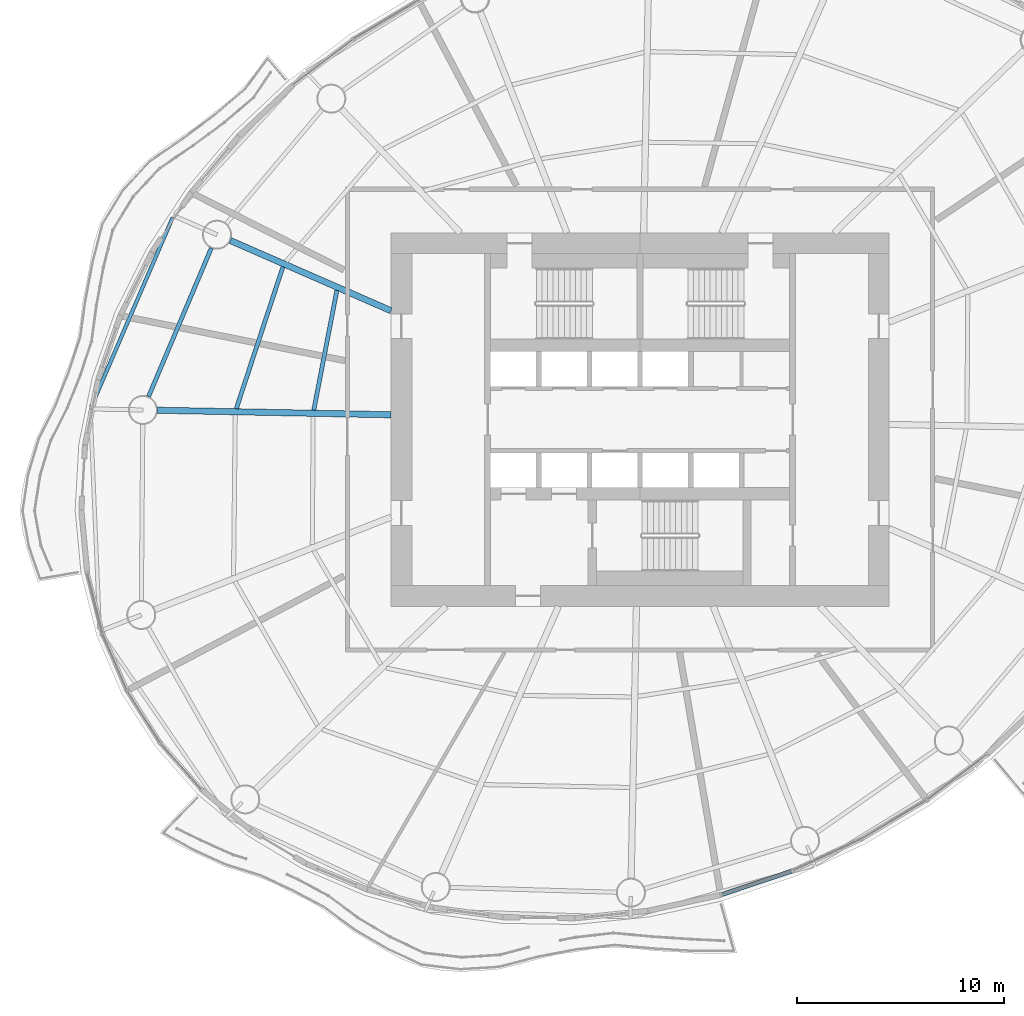
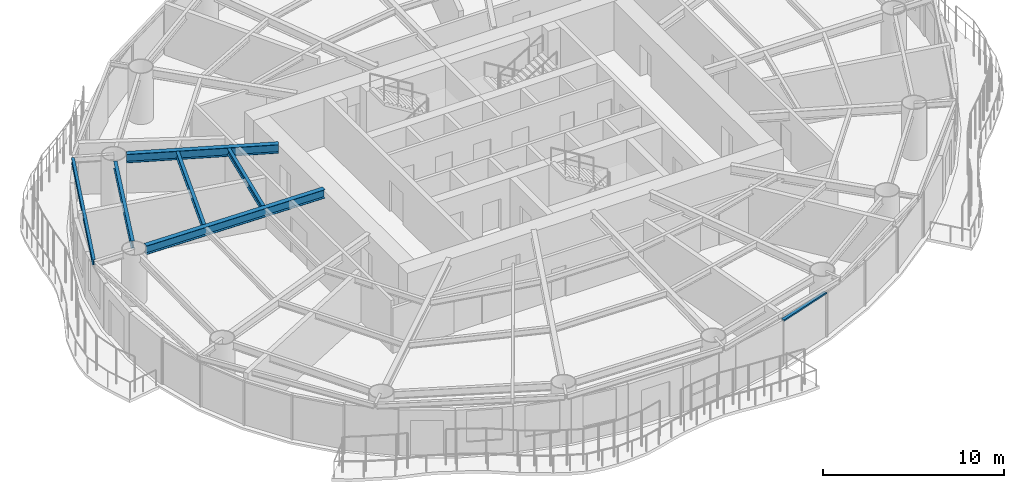
# One storey, part 3 of 16: 6 beams, 1 member, 1 element without a shape of its own.
"""IFC4 building model written with IfcOpenShell, lengths in metres."""

from ifc_helpers import new_model, si_unit, direction, frame, origin, origin_2d, place, context, subcontext, project, spatial, rectangle, i_section, extrude, material, material_profile, profile_set, type_object, element, aggregate, save


model = new_model("IFC4")

# Units and contexts
model_context = context("Model", 3, precision=1e-05, world=origin(), true_north=direction((0.0, 1.0)))
body_context = subcontext(model_context, "Body", "Model", "MODEL_VIEW")
ifc_project = project(units=[si_unit("LENGTHUNIT", "METRE"), si_unit("AREAUNIT", "SQUARE_METRE"), si_unit("VOLUMEUNIT", "CUBIC_METRE"), si_unit("PLANEANGLEUNIT", "RADIAN"), si_unit("MASSUNIT", "GRAM", prefix="KILO")], contexts=[model_context])

# Site, building, storey
site_placement = place(None, origin())
site = spatial("IfcSite", under=ifc_project, at=site_placement, CompositionType="ELEMENT")
building_placement = place(site_placement, origin())
building = spatial("IfcBuilding", under=site, at=building_placement, Name="Vermilion Reach Broadcast Tower", CompositionType="ELEMENT")
storey_placement = place(building_placement, frame((0.0, 0.0, 147.0)))
storey = spatial("IfcBuildingStorey", under=building, at=storey_placement, Name="L34", CompositionType="ELEMENT", Elevation=147.0)

# Beams
ifc_material_1 = material(Name="Steel S355J2", Category="steel")
ifc_material_profile_1 = material_profile(ifc_material_1, i_section(OverallWidth=0.175048828125, OverallDepth=0.35009765625, WebThickness=0.007080078125, FlangeThickness=0.010986328125, at=origin_2d()), Name="S355J2 HN 350x175x7x11")
ifc_profile_set_1 = profile_set([ifc_material_profile_1], Name="Steel S355J2")
beam_type_1 = type_object("IfcBeamType", Name="EB3 HN 350x175x7x11", PredefinedType="BEAM", material=ifc_profile_set_1)
beam_1_placement = place(storey_placement, frame((-28.52490234375, 9.736328125, 3.27490234375), z_axis=(-0.395161967212, -0.918611462844, 0.0), x_axis=(0.918611462844, -0.395161967212, 0.0)))
element("IfcBeam", 1, at=beam_1_placement, inside=storey, type_object=beam_type_1, Name="Edge beam EB3-06", PredefinedType="BEAM", context=body_context, shape_type="SweptSolid", body=[
    extrude(i_section(OverallWidth=0.175048828125, OverallDepth=0.35009765625, WebThickness=0.007080078125, FlangeThickness=0.010986328125, at=origin_2d()), origin(), (0.0, 0.0, 1.0), 9.93212890625),
])
ifc_material_2 = material(Name="Steel S355J2", Category="steel")
ifc_material_profile_2 = material_profile(ifc_material_2, i_section(OverallWidth=0.300048828125, OverallDepth=0.587890625, WebThickness=0.011962890625, FlangeThickness=0.02001953125, at=origin_2d()), Name="S355J2 HM 588x300x12x20")
ifc_profile_set_2 = profile_set([ifc_material_profile_2], Name="Steel S355J2")
beam_type_2 = type_object("IfcBeamType", Name="G3 HM 588x300x12x20", PredefinedType="BEAM", material=ifc_profile_set_2)
beam_2_placement = place(storey_placement, frame((-18.0, 5.2451171875, 3.156005859375), z_axis=(-0.916287847036, 0.400520388213, 0.0), x_axis=(-0.400520388213, -0.916287847036, 0.0)))
element("IfcBeam", 2, at=beam_2_placement, inside=storey, type_object=beam_type_2, Name="Girder G3-06", PredefinedType="BEAM", context=body_context, shape_type="SweptSolid", body=[
    extrude(i_section(OverallWidth=0.300048828125, OverallDepth=0.587890625, WebThickness=0.011962890625, FlangeThickness=0.02001953125, at=origin_2d()), origin(), (0.0, 0.0, 1.0), 8.45458984375),
])
beam_3_placement = place(storey_placement, frame((-18.0, 0.232421875, 3.156005859375), z_axis=(-0.999812170888, 0.019380994401, 0.0), x_axis=(-0.019380994401, -0.999812170888, 0.0)))
element("IfcBeam", 3, at=beam_3_placement, inside=storey, type_object=beam_type_2, Name="Girder G3-07", PredefinedType="BEAM", context=body_context, shape_type="SweptSolid", body=[
    extrude(i_section(OverallWidth=0.300048828125, OverallDepth=0.587890625, WebThickness=0.011962890625, FlangeThickness=0.02001953125, at=origin_2d()), origin(), (0.0, 0.0, 1.0), 11.26171875),
])
ifc_material_3 = material(Name="Steel S355J2", Category="steel")
ifc_material_profile_3 = material_profile(ifc_material_3, i_section(OverallWidth=0.199951171875, OverallDepth=0.5, WebThickness=0.010009765625, FlangeThickness=0.01611328125, at=origin_2d()), Name="S355J2 HN 500x200x10x16")
ifc_profile_set_3 = profile_set([ifc_material_profile_3], Name="Steel S355J2")
beam_type_3 = type_object("IfcBeamType", Name="RB3 HN 500x200x10x16", PredefinedType="BEAM", material=ifc_profile_set_3)
beam_4_placement = place(storey_placement, frame((-26.660888671875, 8.266845703125, 3.199951171875), z_axis=(-0.389368386196, -0.921082113512, 0.0), x_axis=(0.921082113512, -0.389368386196, 0.0)))
element("IfcBeam", 4, at=beam_4_placement, inside=storey, type_object=beam_type_3, Name="Ring beam RB3-06", PredefinedType="BEAM", context=body_context, shape_type="SweptSolid", body=[
    extrude(i_section(OverallWidth=0.199951171875, OverallDepth=0.5, WebThickness=0.010009765625, FlangeThickness=0.01611328125, at=origin_2d()), origin(), (0.0, 0.0, 1.0), 7.771240234375),
])
ifc_material_4 = material(Name="Steel S355J2", Category="steel")
ifc_material_profile_4 = material_profile(ifc_material_4, i_section(OverallWidth=0.199951171875, OverallDepth=0.39990234375, WebThickness=0.008056640625, FlangeThickness=0.012939453125, at=origin_2d()), Name="S355J2 HN 400x200x8x13")
ifc_profile_set_4 = profile_set([ifc_material_profile_4], Name="Steel S355J2")
beam_type_4 = type_object("IfcBeamType", Name="SB3 HN 400x200x8x13", PredefinedType="BEAM", material=ifc_profile_set_4)
beam_5_placement = place(storey_placement, frame((-20.611328125, 6.222900390625, 3.25), z_axis=(-0.189462365782, -0.981887983404, 0.0), x_axis=(0.981887983404, -0.189462365782, 0.0)))
element("IfcBeam", 5, at=beam_5_placement, inside=storey, type_object=beam_type_4, Name="Secondary beam SB3-06-1", PredefinedType="BEAM", context=body_context, shape_type="SweptSolid", body=[
    extrude(i_section(OverallWidth=0.199951171875, OverallDepth=0.39990234375, WebThickness=0.008056640625, FlangeThickness=0.012939453125, at=origin_2d()), origin(), (0.0, 0.0, 1.0), 5.874755859375),
])
beam_6_placement = place(storey_placement, frame((-23.211669921875, 7.359375, 3.25), z_axis=(-0.312243016281, -0.950002262515, 0.0), x_axis=(0.950002262515, -0.312243016281, 0.0)))
element("IfcBeam", 6, at=beam_6_placement, inside=storey, type_object=beam_type_4, Name="Secondary beam SB3-06-2", PredefinedType="BEAM", context=body_context, shape_type="SweptSolid", body=[
    extrude(i_section(OverallWidth=0.199951171875, OverallDepth=0.39990234375, WebThickness=0.008056640625, FlangeThickness=0.012939453125, at=origin_2d()), origin(), (0.0, 0.0, 1.0), 7.19189453125),
])

# Curtain wall, member
ifc_material_5 = material(Name="Low-e laminated clear glass in aluminium frame", Category="aluminium")
curtain_wall_type = type_object("IfcCurtainWallType", Name="Slot curtain wall", PredefinedType="NOTDEFINED", material=ifc_material_5)
curtain_wall_placement = place(storey_placement, origin())
curtain_wall = element("IfcCurtainWall", 7, at=curtain_wall_placement, inside=storey, type_object=curtain_wall_type, Name="Slot curtain wall L34 34", PredefinedType="NOTDEFINED")
ifc_material_6 = material(Name="Anodised aluminium", Category="aluminium")
ifc_material_profile_5 = material_profile(ifc_material_6, rectangle(XDim=0.199951171875, YDim=0.10009765625, at=origin_2d()), Name="Slot transom 200 x 100")
ifc_profile_set_5 = profile_set([ifc_material_profile_5], Name="Anodised aluminium")
member_type = type_object("IfcMemberType", Name="Slot transom 200 x 100", PredefinedType="USERDEFINED", material=ifc_profile_set_5)
member_placement = place(storey_placement, frame((-2.0634765625, -22.893310546875, 3.0), z_axis=(0.947857294019, 0.318695073973, 0.0), x_axis=(-0.318695073973, 0.947857294019, 0.0)))
member = element("IfcMember", 8, at=member_placement, type_object=member_type, Name="Slot transom L34 34.1", ObjectType="TRANSOM", PredefinedType="USERDEFINED", context=body_context, shape_type="SweptSolid", body=[
    extrude(rectangle(XDim=0.199951171875, YDim=0.10009765625, at=origin_2d()), origin(), (0.0, 0.0, 1.0), 3.560546875),
])
aggregate(curtain_wall, [member])

save(model, "model.ifc")
